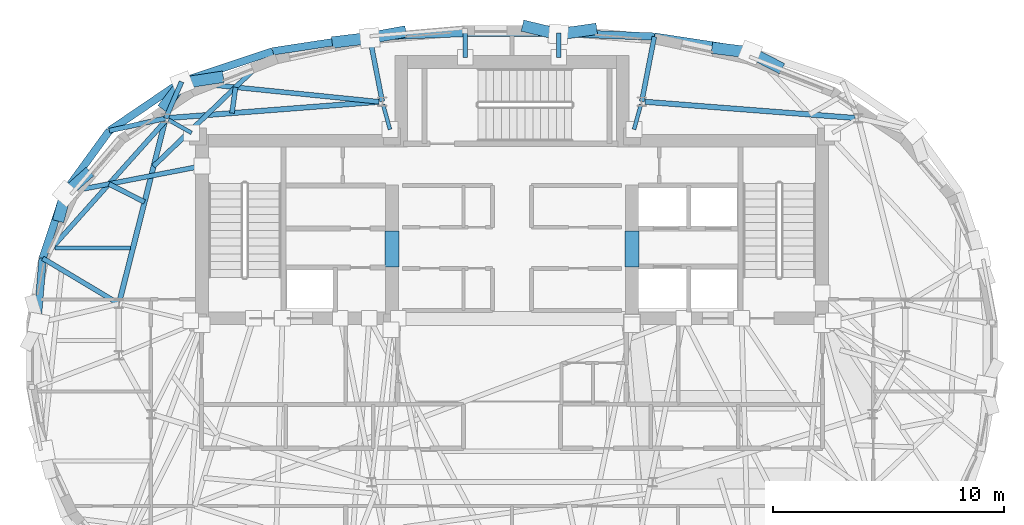
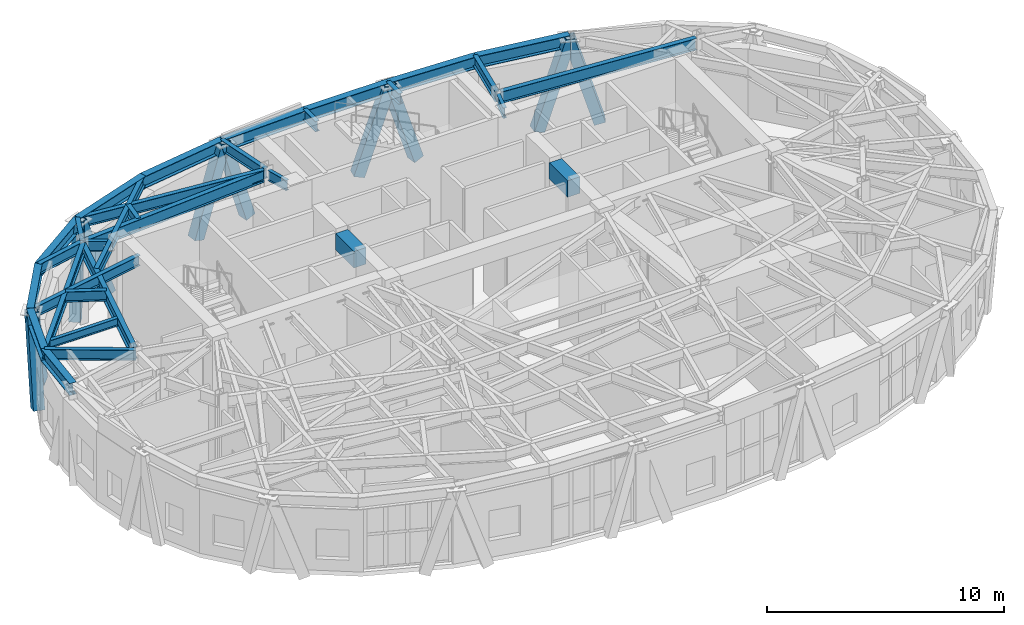
# One storey, part 4 of 15: 32 beams, 10 members.
"""IFC4 building model written with IfcOpenShell, lengths in metres."""

from ifc_helpers import new_model, si_unit, direction, frame, origin, origin_2d, place, context, subcontext, project, spatial, rectangle, hollow_rectangle, i_section, extrude, material, material_profile, profile_set, type_object, element, save


model = new_model("IFC4")

# Units and contexts
model_context = context("Model", 3, precision=1e-05, world=origin(), true_north=direction((0.0, 1.0)))
body_context = subcontext(model_context, "Body", "Model", "MODEL_VIEW")
ifc_project = project(units=[si_unit("LENGTHUNIT", "METRE"), si_unit("AREAUNIT", "SQUARE_METRE"), si_unit("VOLUMEUNIT", "CUBIC_METRE"), si_unit("PLANEANGLEUNIT", "RADIAN"), si_unit("MASSUNIT", "GRAM", prefix="KILO")], contexts=[model_context])

# Site, building, storey
site_placement = place(None, origin())
site = spatial("IfcSite", under=ifc_project, at=site_placement, CompositionType="ELEMENT")
building_placement = place(site_placement, origin())
building = spatial("IfcBuilding", under=site, at=building_placement, Name="Keldmark Tower", CompositionType="ELEMENT")
storey_placement = place(building_placement, frame((0.0, 0.0, 260.39990234375)))
storey = spatial("IfcBuildingStorey", under=building, at=storey_placement, Name="L74", CompositionType="ELEMENT", Elevation=260.39990234375)

# Beams
ifc_material_1 = material(Name="Steel ASTM A992 Grade 50", Category="steel")
ifc_material_profile_1 = material_profile(ifc_material_1, i_section(OverallWidth=0.177978515625, OverallDepth=0.403076171875, WebThickness=0.007568359375, FlangeThickness=0.010986328125, at=origin_2d()), Name="W16X36")
ifc_profile_set_1 = profile_set([ifc_material_profile_1], Name="Steel ASTM A992 Grade 50")
beam_type_1 = type_object("IfcBeamType", Name="Composite Floor Joist W16X36", PredefinedType="JOIST", material=ifc_profile_set_1)
beam_1_placement = place(storey_placement, frame((-19.802001953125, 4.6201171875, 3.978515625), z_axis=(1.0, 0.0, 0.0), x_axis=(0.0, 1.0, 0.0)))
element("IfcBeam", 1, at=beam_1_placement, inside=storey, type_object=beam_type_1, Name="L74 Composite Floor Joist J06", PredefinedType="JOIST", context=body_context, shape_type="SweptSolid", body=[
    extrude(i_section(OverallWidth=0.177978515625, OverallDepth=0.403076171875, WebThickness=0.007568359375, FlangeThickness=0.010986328125, at=origin_2d()), origin(), (0.0, 0.0, 1.0), 3.277099609375),
])
ifc_material_2 = material(Name="Concrete C50/60", Category="concrete")
ifc_material_profile_2 = material_profile(ifc_material_2, rectangle(XDim=0.60009765625, YDim=0.85009765625, at=origin_2d()), Name="RCB600X850")
ifc_profile_set_2 = profile_set([ifc_material_profile_2], Name="Concrete C50/60")
beam_type_2 = type_object("IfcBeamType", Name="Core Coupling Beam RCB600X850", PredefinedType="USERDEFINED", material=ifc_profile_set_2)
for number, where, z_axis, x_axis, name in (
    (2, (-5.199951171875, 3.800048828125, 3.755126953125), (0.0, 1.0, 0.0), (-1.0, 0.0, 0.0), "L74 West Core Coupling Beam"),
    (3, (5.199951171875, 3.800048828125, 3.755126953125), (0.0, 1.0, 0.0), (-1.0, 0.0, 0.0), "L74 East Core Coupling Beam"),
):
    element("IfcBeam", number, at=place(storey_placement, frame(where, z_axis=z_axis, x_axis=x_axis)), inside=storey, type_object=beam_type_2, Name=name, ObjectType="COUPLING BEAM", PredefinedType="USERDEFINED", context=body_context, shape_type="SweptSolid", body=[
        extrude(rectangle(XDim=0.60009765625, YDim=0.85009765625, at=origin_2d()), origin(), (0.0, 0.0, 1.0), 1.550048828125),
    ])

# Members
ifc_material_3 = material(Name="Steel ASTM A572 Grade 50", Category="steel")
ifc_material_profile_3 = material_profile(ifc_material_3, hollow_rectangle(XDim=0.5, YDim=0.5, WallThickness=0.030029296875, at=origin_2d()), Name="BOX500X500X30")
ifc_profile_set_3 = profile_set([ifc_material_profile_3], Name="Steel ASTM A572 Grade 50")
member_type = type_object("IfcMemberType", Name="Diagrid Upper Brace BOX500X500X30", PredefinedType="BRACE", material=ifc_profile_set_3)
member_1_placement = place(storey_placement, frame((11.4814453125, 12.49853515625, -0.2998046875), z_axis=(-0.254581394802, 0.131073202845, 0.958127407455), x_axis=(-0.457750168819, -0.889080864121, 0.0)))
element("IfcMember", 4, at=member_1_placement, inside=storey, type_object=member_type, Name="L74 Perimeter Diagrid Brace 03A", PredefinedType="BRACE", context=body_context, shape_type="SweptSolid", body=[
    extrude(hollow_rectangle(XDim=0.5, YDim=0.5, WallThickness=0.030029296875, at=origin_2d()), origin(), (0.0, 0.0, 1.0), 4.55029296875),
])
member_2_placement = place(storey_placement, frame((8.894287109375, 13.267333984375, -0.2998046875), z_axis=(0.313132954787, -0.038948999806, 0.948910284505), x_axis=(0.12343367056, 0.992352824842, 0.0)))
element("IfcMember", 5, at=member_2_placement, inside=storey, type_object=member_type, Name="L74 Perimeter Diagrid Brace 03B", PredefinedType="BRACE", context=body_context, shape_type="SweptSolid", body=[
    extrude(hollow_rectangle(XDim=0.5, YDim=0.5, WallThickness=0.030029296875, at=origin_2d()), origin(), (0.0, 0.0, 1.0), 4.594482421875),
])
member_3_placement = place(storey_placement, frame((3.436767578125, 14.081787109375, -0.2998046875), z_axis=(-0.311154568704, -0.043592473319, 0.949359010409), x_axis=(0.138744093454, -0.990328267057, 0.0)))
element("IfcMember", 6, at=member_3_placement, inside=storey, type_object=member_type, Name="L74 Perimeter Diagrid Brace 04A", PredefinedType="BRACE", context=body_context, shape_type="SweptSolid", body=[
    extrude(hollow_rectangle(XDim=0.5, YDim=0.5, WallThickness=0.030029296875, at=origin_2d()), origin(), (0.0, 0.0, 1.0), 4.592529296875),
])
member_4_placement = place(storey_placement, frame((0.6845703125, 14.199462890625, -0.2998046875), z_axis=(0.292008696746, -0.070024401213, 0.953848784797), x_axis=(0.2331913082, 0.972430878664, 0.0)))
element("IfcMember", 7, at=member_4_placement, inside=storey, type_object=member_type, Name="L74 Perimeter Diagrid Brace 04B", PredefinedType="BRACE", context=body_context, shape_type="SweptSolid", body=[
    extrude(hollow_rectangle(XDim=0.5, YDim=0.5, WallThickness=0.030029296875, at=origin_2d()), origin(), (0.0, 0.0, 1.0), 4.57080078125),
])
member_5_placement = place(storey_placement, frame((-4.830810546875, 13.95947265625, -0.2998046875), z_axis=(-0.291197288209, -0.052580259792, 0.955216967825), x_axis=(0.177692255929, -0.984086105065, 0.0)))
element("IfcMember", 8, at=member_5_placement, inside=storey, type_object=member_type, Name="L74 Perimeter Diagrid Brace 05A", PredefinedType="BRACE", context=body_context, shape_type="SweptSolid", body=[
    extrude(hollow_rectangle(XDim=0.5, YDim=0.5, WallThickness=0.030029296875, at=origin_2d()), origin(), (0.0, 0.0, 1.0), 4.564208984375),
])
member_6_placement = place(storey_placement, frame((-7.5537109375, 13.55224609375, -0.2998046875), z_axis=(0.306617144005, 0.03696235851, 0.951114983089), x_axis=(-0.11968241892, 0.992812227262, 0.0)))
element("IfcMember", 9, at=member_6_placement, inside=storey, type_object=member_type, Name="L74 Perimeter Diagrid Brace 05B", PredefinedType="BRACE", context=body_context, shape_type="SweptSolid", body=[
    extrude(hollow_rectangle(XDim=0.5, YDim=0.5, WallThickness=0.030029296875, at=origin_2d()), origin(), (0.0, 0.0, 1.0), 4.583984375),
])
member_7_placement = place(storey_placement, frame((-12.73681640625, 12.006103515625, -0.2998046875), z_axis=(-0.333845662082, -0.051125717117, 0.941240264204), x_axis=(0.151376984692, -0.988476104165, 0.0)))
element("IfcMember", 10, at=member_7_placement, inside=storey, type_object=member_type, Name="L74 Perimeter Diagrid Brace 06A", PredefinedType="BRACE", context=body_context, shape_type="SweptSolid", body=[
    extrude(hollow_rectangle(XDim=0.5, YDim=0.5, WallThickness=0.030029296875, at=origin_2d()), origin(), (0.0, 0.0, 1.0), 4.632080078125),
])
member_8_placement = place(storey_placement, frame((-14.99267578125, 10.835205078125, -0.2998046875), z_axis=(0.159202550271, 0.208163008705, 0.965050625508), x_axis=(-0.794322712837, 0.607496031157, 0.0)))
element("IfcMember", 11, at=member_8_placement, inside=storey, type_object=member_type, Name="L74 Perimeter Diagrid Brace 06B", PredefinedType="BRACE", context=body_context, shape_type="SweptSolid", body=[
    extrude(hollow_rectangle(XDim=0.5, YDim=0.5, WallThickness=0.030029296875, at=origin_2d()), origin(), (0.0, 0.0, 1.0), 4.517822265625),
])
member_9_placement = place(storey_placement, frame((-18.45849609375, 7.771240234375, -0.2998046875), z_axis=(-0.194761756322, -0.173842300398, 0.965322077271), x_axis=(0.665904663774, -0.746036848127, 0.0)))
element("IfcMember", 12, at=member_9_placement, inside=storey, type_object=member_type, Name="L74 Perimeter Diagrid Brace 07A", PredefinedType="BRACE", context=body_context, shape_type="SweptSolid", body=[
    extrude(hollow_rectangle(XDim=0.5, YDim=0.5, WallThickness=0.030029296875, at=origin_2d()), origin(), (0.0, 0.0, 1.0), 4.5166015625),
])
member_10_placement = place(storey_placement, frame((-19.595458984375, 6.0205078125, -0.2998046875), z_axis=(0.058970159994, 0.217933199977, 0.974180496919), x_axis=(-0.965286044278, 0.261195047275, 0.0)))
element("IfcMember", 13, at=member_10_placement, inside=storey, type_object=member_type, Name="L74 Perimeter Diagrid Brace 07B", PredefinedType="BRACE", context=body_context, shape_type="SweptSolid", body=[
    extrude(hollow_rectangle(XDim=0.5, YDim=0.5, WallThickness=0.030029296875, at=origin_2d()), origin(), (0.0, 0.0, 1.0), 4.475341796875),
])

# Beams
ifc_material_4 = material(Name="Steel ASTM A992 Grade 50", Category="steel")
ifc_material_profile_4 = material_profile(ifc_material_4, i_section(OverallWidth=0.22802734375, OverallDepth=0.60302734375, WebThickness=0.010498046875, FlangeThickness=0.014892578125, at=origin_2d()), Name="W24X68")
ifc_profile_set_4 = profile_set([ifc_material_profile_4], Name="Steel ASTM A992 Grade 50")
beam_type_3 = type_object("IfcBeamType", Name="Primary Floor Girder W24X68", PredefinedType="BEAM", material=ifc_profile_set_4)
for number, where, z_axis, x_axis, name in (
    (14, (14.856201171875, 10.25439453125, 3.878662109375), (-0.997037147832, 0.076921556421, 0.0), (-0.076921556421, -0.997037147832, 0.0), "L74 Floor Ring Girder FG-R02"),
    (15, (-5.75830078125, 10.956298828125, 3.878662109375), (-0.997037147832, -0.076921556421, 0.0), (0.076921556421, -0.997037147832, 0.0), "L74 Floor Ring Girder FG-R04"),
):
    element("IfcBeam", number, at=place(storey_placement, frame(where, z_axis=z_axis, x_axis=x_axis)), inside=storey, type_object=beam_type_3, Name=name, PredefinedType="BEAM", context=body_context, shape_type="SweptSolid", body=[
        extrude(i_section(OverallWidth=0.22802734375, OverallDepth=0.60302734375, WebThickness=0.010498046875, FlangeThickness=0.014892578125, at=origin_2d()), origin(), (0.0, 0.0, 1.0), 9.125),
    ])
beam_2_placement = place(storey_placement, frame((-15.030029296875, 10.10791015625, 3.878662109375), z_axis=(-0.244902129455, -0.969547805417, 0.0), x_axis=(0.969547805417, -0.244902129455, 0.0)))
element("IfcBeam", 16, at=beam_2_placement, inside=storey, type_object=beam_type_3, Name="L74 Floor Ring Girder FG-R05", PredefinedType="BEAM", context=body_context, shape_type="SweptSolid", body=[
    extrude(i_section(OverallWidth=0.22802734375, OverallDepth=0.60302734375, WebThickness=0.010498046875, FlangeThickness=0.014892578125, at=origin_2d()), origin(), (0.0, 0.0, 1.0), 8.008056640625),
])
ifc_material_5 = material(Name="Steel ASTM A992 Grade 50", Category="steel")
ifc_material_profile_5 = material_profile(ifc_material_5, i_section(OverallWidth=0.166015625, OverallDepth=0.529052734375, WebThickness=0.009765625, FlangeThickness=0.013671875, at=origin_2d()), Name="W21X50")
ifc_profile_set_5 = profile_set([ifc_material_profile_5], Name="Steel ASTM A992 Grade 50")
beam_type_4 = type_object("IfcBeamType", Name="Radial Tie Girder W21X50", PredefinedType="BEAM", material=ifc_profile_set_5)
for number, where, z_axis, x_axis, name in (
    (17, (5.581298828125, 10.83203125, 3.91552734375), (-0.265936023434, -0.963990680163, 0.0), (0.963990680163, -0.265936023434, 0.0), "L74 Floor Radial Girder FG-C03"),
    (18, (-5.581298828125, 10.83203125, 3.91552734375), (0.265936023434, -0.963990680163, 0.0), (0.963990680163, 0.265936023434, 0.0), "L74 Floor Radial Girder FG-C04"),
):
    element("IfcBeam", number, at=place(storey_placement, frame(where, z_axis=z_axis, x_axis=x_axis)), inside=storey, type_object=beam_type_4, Name=name, PredefinedType="BEAM", context=body_context, shape_type="SweptSolid", body=[
        extrude(i_section(OverallWidth=0.166015625, OverallDepth=0.529052734375, WebThickness=0.009765625, FlangeThickness=0.013671875, at=origin_2d()), origin(), (0.0, 0.0, 1.0), 1.113525390625),
    ])
beam_3_placement = place(storey_placement, frame((-14.8740234375, 10.174560546875, 3.91552734375), z_axis=(0.869238046195, -0.494393789451, 0.0), x_axis=(0.494393789451, 0.869238046195, 0.0)))
element("IfcBeam", 19, at=beam_3_placement, inside=storey, type_object=beam_type_4, Name="L74 Floor Radial Girder FG-C05", PredefinedType="BEAM", context=body_context, shape_type="SweptSolid", body=[
    extrude(i_section(OverallWidth=0.166015625, OverallDepth=0.529052734375, WebThickness=0.009765625, FlangeThickness=0.013671875, at=origin_2d()), origin(), (0.0, 0.0, 1.0), 1.145751953125),
])
ifc_material_6 = material(Name="Steel ASTM A992 Grade 50", Category="steel")
ifc_material_profile_6 = material_profile(ifc_material_6, i_section(OverallWidth=0.2099609375, OverallDepth=0.537109375, WebThickness=0.010986328125, FlangeThickness=0.017333984375, at=origin_2d()), Name="W21X68")
ifc_profile_set_6 = profile_set([ifc_material_profile_6], Name="Steel ASTM A992 Grade 50")
beam_type_5 = type_object("IfcBeamType", Name="Radial Tie Girder W21X68", PredefinedType="BEAM", material=ifc_profile_set_6)
for number, where, z_axis, x_axis, name in (
    (20, (2.025146484375, 12.8798828125, 3.91162109375), (0.0, 1.0, 0.0), (-1.0, 0.0, 0.0), "L74 North Core Wall Bracket RT-08N"),
    (21, (-2.025146484375, 12.8798828125, 3.91162109375), (0.0, 1.0, 0.0), (-1.0, 0.0, 0.0), "L74 North Core Wall Bracket RT-09N"),
):
    element("IfcBeam", number, at=place(storey_placement, frame(where, z_axis=z_axis, x_axis=x_axis)), inside=storey, type_object=beam_type_5, Name=name, PredefinedType="BEAM", context=body_context, shape_type="SweptSolid", body=[
        extrude(i_section(OverallWidth=0.2099609375, OverallDepth=0.537109375, WebThickness=0.010986328125, FlangeThickness=0.017333984375, at=origin_2d()), origin(), (0.0, 0.0, 1.0), 1.05908203125),
    ])
for number, where, z_axis, x_axis, name in (
    (22, (5.61865234375, 10.967041015625, 3.91162109375), (0.190967735068, 0.981596314257, 0.0), (-0.981596314257, 0.190967735068, 0.0), "L74 Perimeter Column Bracket RT-07"),
    (23, (-5.61865234375, 10.967041015625, 3.91162109375), (-0.190967735068, 0.981596314257, 0.0), (-0.981596314257, -0.190967735068, 0.0), "L74 Perimeter Column Bracket RT-10"),
):
    element("IfcBeam", number, at=place(storey_placement, frame(where, z_axis=z_axis, x_axis=x_axis)), inside=storey, type_object=beam_type_5, Name=name, PredefinedType="BEAM", context=body_context, shape_type="SweptSolid", body=[
        extrude(i_section(OverallWidth=0.2099609375, OverallDepth=0.537109375, WebThickness=0.010986328125, FlangeThickness=0.017333984375, at=origin_2d()), origin(), (0.0, 0.0, 1.0), 2.864990234375),
    ])
beam_4_placement = place(storey_placement, frame((-14.995849609375, 10.24365234375, 3.91162109375), z_axis=(0.397786648686, 0.917477946398, 0.0), x_axis=(-0.917477946398, 0.397786648686, 0.0)))
element("IfcBeam", 24, at=beam_4_placement, inside=storey, type_object=beam_type_5, Name="L74 Perimeter Column Bracket RT-12", PredefinedType="BEAM", context=body_context, shape_type="SweptSolid", body=[
    extrude(i_section(OverallWidth=0.2099609375, OverallDepth=0.537109375, WebThickness=0.010986328125, FlangeThickness=0.017333984375, at=origin_2d()), origin(), (0.0, 0.0, 1.0), 1.72021484375),
])
beam_5_placement = place(storey_placement, frame((-14.995849609375, 10.24365234375, 3.91162109375), z_axis=(-0.976301713666, -0.216413871768, 0.0), x_axis=(0.216413871768, -0.976301713666, 0.0)))
element("IfcBeam", 25, at=beam_5_placement, inside=storey, type_object=beam_type_5, Name="L74 Perimeter Column Bracket RT-13", PredefinedType="BEAM", context=body_context, shape_type="SweptSolid", body=[
    extrude(i_section(OverallWidth=0.2099609375, OverallDepth=0.537109375, WebThickness=0.010986328125, FlangeThickness=0.017333984375, at=origin_2d()), origin(), (0.0, 0.0, 1.0), 2.502197265625),
])
beam_6_placement = place(storey_placement, frame((-17.025634765625, 2.2080078125, 3.91162109375), z_axis=(-0.858405001631, 0.512972565713, 0.0), x_axis=(-0.512972565713, -0.858405001631, 0.0)))
element("IfcBeam", 26, at=beam_6_placement, inside=storey, type_object=beam_type_5, Name="L74 Perimeter Column Bracket RT-15", PredefinedType="BEAM", context=body_context, shape_type="SweptSolid", body=[
    extrude(i_section(OverallWidth=0.2099609375, OverallDepth=0.537109375, WebThickness=0.010986328125, FlangeThickness=0.017333984375, at=origin_2d()), origin(), (0.0, 0.0, 1.0), 3.843994140625),
])
beam_7_placement = place(storey_placement, frame((-5.75830078125, 10.956298828125, 3.91162109375), z_axis=(-0.994916689016, 0.100701449428, 0.0), x_axis=(-0.100701449428, -0.994916689016, 0.0)))
element("IfcBeam", 27, at=beam_7_placement, inside=storey, type_object=beam_type_5, Name="L74 Straddling Support Chord RT-11RB", PredefinedType="BEAM", context=body_context, shape_type="SweptSolid", body=[
    extrude(i_section(OverallWidth=0.2099609375, OverallDepth=0.537109375, WebThickness=0.010986328125, FlangeThickness=0.017333984375, at=origin_2d()), origin(), (0.0, 0.0, 1.0), 8.596923828125),
])
beam_8_placement = place(storey_placement, frame((-12.126708984375, 10.465087890625, 3.91162109375), z_axis=(0.134496613333, 0.990914053287, 0.0), x_axis=(-0.990914053287, 0.134496613333, 0.0)))
element("IfcBeam", 28, at=beam_8_placement, inside=storey, type_object=beam_type_5, Name="L74 Framing Pin Header PH-022", PredefinedType="BEAM", context=body_context, shape_type="SweptSolid", body=[
    extrude(i_section(OverallWidth=0.2099609375, OverallDepth=0.537109375, WebThickness=0.010986328125, FlangeThickness=0.017333984375, at=origin_2d()), origin(), (0.0, 0.0, 1.0), 1.130859375),
])
beam_9_placement = place(storey_placement, frame((-15.5205078125, 8.1669921875, 3.91162109375), z_axis=(0.719899612478, 0.694078200172, 0.0), x_axis=(-0.694078200172, 0.719899612478, 0.0)))
element("IfcBeam", 29, at=beam_9_placement, inside=storey, type_object=beam_type_5, Name="L74 Perimeter Radial Tie Girder RT-11R", PredefinedType="BEAM", context=body_context, shape_type="SweptSolid", body=[
    extrude(i_section(OverallWidth=0.2099609375, OverallDepth=0.537109375, WebThickness=0.010986328125, FlangeThickness=0.017333984375, at=origin_2d()), origin(), (0.0, 0.0, 1.0), 7.166748046875),
])
beam_10_placement = place(storey_placement, frame((-15.030029296875, 10.10791015625, 3.91162109375), z_axis=(-0.666195807481, -0.745776874202, 0.0), x_axis=(0.745776874202, -0.666195807481, 0.0)))
element("IfcBeam", 30, at=beam_10_placement, inside=storey, type_object=beam_type_5, Name="L74 Straddling Support Chord RT-14RB", PredefinedType="BEAM", context=body_context, shape_type="SweptSolid", body=[
    extrude(i_section(OverallWidth=0.2099609375, OverallDepth=0.537109375, WebThickness=0.010986328125, FlangeThickness=0.017333984375, at=origin_2d()), origin(), (0.0, 0.0, 1.0), 7.94873046875),
])
beam_11_placement = place(storey_placement, frame((-15.91259765625, 6.614013671875, 3.91162109375), z_axis=(-0.891151682743, 0.45370549737, 0.0), x_axis=(-0.45370549737, -0.891151682743, 0.0)))
element("IfcBeam", 31, at=beam_11_placement, inside=storey, type_object=beam_type_5, Name="L74 Framing Pin Header PH-023", PredefinedType="BEAM", context=body_context, shape_type="SweptSolid", body=[
    extrude(i_section(OverallWidth=0.2099609375, OverallDepth=0.537109375, WebThickness=0.010986328125, FlangeThickness=0.017333984375, at=origin_2d()), origin(), (0.0, 0.0, 1.0), 1.726806640625),
])
beam_12_placement = place(storey_placement, frame((-13.425048828125, 8.175048828125, 3.91162109375), z_axis=(-0.981858680081, -0.189614167059, 0.0), x_axis=(0.189614167059, -0.981858680081, 0.0)))
element("IfcBeam", 32, at=beam_12_placement, inside=storey, type_object=beam_type_5, Name="L74 Perimeter Radial Tie Girder RT-14R", PredefinedType="BEAM", context=body_context, shape_type="SweptSolid", body=[
    extrude(i_section(OverallWidth=0.2099609375, OverallDepth=0.537109375, WebThickness=0.010986328125, FlangeThickness=0.017333984375, at=origin_2d()), origin(), (0.0, 0.0, 1.0), 6.069580078125),
])
ifc_material_7 = material(Name="Steel ASTM A992 Grade 50", Category="steel")
ifc_material_profile_7 = material_profile(ifc_material_7, i_section(OverallWidth=0.326904296875, OverallDepth=0.6220703125, WebThickness=0.015380859375, FlangeThickness=0.0244140625, at=origin_2d()), Name="W24X131")
ifc_profile_set_7 = profile_set([ifc_material_profile_7], Name="Steel ASTM A992 Grade 50")
beam_type_6 = type_object("IfcBeamType", Name="Spandrel Ring Beam W24X131", PredefinedType="SPANDREL", material=ifc_profile_set_7)
beam_13_placement = place(storey_placement, frame((10.361083984375, 13.141357421875, 3.869140625), z_axis=(-0.988635572728, 0.15033198042, 0.0), x_axis=(-0.15033198042, -0.988635572728, 0.0)))
element("IfcBeam", 33, at=beam_13_placement, inside=storey, type_object=beam_type_6, Name="L74 Perimeter Spandrel Ring Beam SRB-06", PredefinedType="SPANDREL", context=body_context, shape_type="SweptSolid", body=[
    extrude(i_section(OverallWidth=0.326904296875, OverallDepth=0.6220703125, WebThickness=0.015380859375, FlangeThickness=0.0244140625, at=origin_2d()), origin(), (0.0, 0.0, 1.0), 4.24365234375),
])
beam_14_placement = place(storey_placement, frame((6.165771484375, 13.779296875, 3.869140625), z_axis=(-0.999257340406, 0.03853268282, 0.0), x_axis=(-0.03853268282, -0.999257340406, 0.0)))
element("IfcBeam", 34, at=beam_14_placement, inside=storey, type_object=beam_type_6, Name="L74 Perimeter Spandrel Ring Beam SRB-07", PredefinedType="SPANDREL", context=body_context, shape_type="SweptSolid", body=[
    extrude(i_section(OverallWidth=0.326904296875, OverallDepth=0.6220703125, WebThickness=0.015380859375, FlangeThickness=0.0244140625, at=origin_2d()), origin(), (0.0, 0.0, 1.0), 4.143798828125),
])
beam_15_placement = place(storey_placement, frame((2.025146484375, 13.93896484375, 3.869140625), z_axis=(-1.0, 0.0, 0.0), x_axis=(0.0, -1.0, 0.0)))
element("IfcBeam", 35, at=beam_15_placement, inside=storey, type_object=beam_type_6, Name="L74 Perimeter Spandrel Ring Beam SRB-08", PredefinedType="SPANDREL", context=body_context, shape_type="SweptSolid", body=[
    extrude(i_section(OverallWidth=0.326904296875, OverallDepth=0.6220703125, WebThickness=0.015380859375, FlangeThickness=0.0244140625, at=origin_2d()), origin(), (0.0, 0.0, 1.0), 4.05029296875),
])
beam_16_placement = place(storey_placement, frame((-2.025146484375, 13.93896484375, 3.869140625), z_axis=(-0.999257340406, -0.03853268282, 0.0), x_axis=(0.03853268282, -0.999257340406, 0.0)))
element("IfcBeam", 36, at=beam_16_placement, inside=storey, type_object=beam_type_6, Name="L74 Perimeter Spandrel Ring Beam SRB-09", PredefinedType="SPANDREL", context=body_context, shape_type="SweptSolid", body=[
    extrude(i_section(OverallWidth=0.326904296875, OverallDepth=0.6220703125, WebThickness=0.015380859375, FlangeThickness=0.0244140625, at=origin_2d()), origin(), (0.0, 0.0, 1.0), 4.143798828125),
])
beam_17_placement = place(storey_placement, frame((-6.165771484375, 13.779296875, 3.869140625), z_axis=(-0.988635572728, -0.15033198042, 0.0), x_axis=(0.15033198042, -0.988635572728, 0.0)))
element("IfcBeam", 37, at=beam_17_placement, inside=storey, type_object=beam_type_6, Name="L74 Perimeter Spandrel Ring Beam SRB-10", PredefinedType="SPANDREL", context=body_context, shape_type="SweptSolid", body=[
    extrude(i_section(OverallWidth=0.326904296875, OverallDepth=0.6220703125, WebThickness=0.015380859375, FlangeThickness=0.0244140625, at=origin_2d()), origin(), (0.0, 0.0, 1.0), 4.24365234375),
])
beam_18_placement = place(storey_placement, frame((-10.361083984375, 13.141357421875, 3.869140625), z_axis=(-0.948501424935, -0.316772863256, 0.0), x_axis=(0.316772863256, -0.948501424935, 0.0)))
element("IfcBeam", 38, at=beam_18_placement, inside=storey, type_object=beam_type_6, Name="L74 Perimeter Spandrel Ring Beam SRB-11", PredefinedType="SPANDREL", context=body_context, shape_type="SweptSolid", body=[
    extrude(i_section(OverallWidth=0.326904296875, OverallDepth=0.6220703125, WebThickness=0.015380859375, FlangeThickness=0.0244140625, at=origin_2d()), origin(), (0.0, 0.0, 1.0), 4.1650390625),
])
beam_19_placement = place(storey_placement, frame((-14.3115234375, 11.822021484375, 3.869140625), z_axis=(-0.827740547026, -0.56111102895, 0.0), x_axis=(0.56111102895, -0.827740547026, 0.0)))
element("IfcBeam", 39, at=beam_19_placement, inside=storey, type_object=beam_type_6, Name="L74 Perimeter Spandrel Ring Beam SRB-12", PredefinedType="SPANDREL", context=body_context, shape_type="SweptSolid", body=[
    extrude(i_section(OverallWidth=0.326904296875, OverallDepth=0.6220703125, WebThickness=0.015380859375, FlangeThickness=0.0244140625, at=origin_2d()), origin(), (0.0, 0.0, 1.0), 3.778076171875),
])
beam_20_placement = place(storey_placement, frame((-17.438720703125, 9.7021484375, 3.869140625), z_axis=(-0.587812043437, -0.808997528791, 0.0), x_axis=(0.808997528791, -0.587812043437, 0.0)))
element("IfcBeam", 40, at=beam_20_placement, inside=storey, type_object=beam_type_6, Name="L74 Perimeter Spandrel Ring Beam SRB-13", PredefinedType="SPANDREL", context=body_context, shape_type="SweptSolid", body=[
    extrude(i_section(OverallWidth=0.326904296875, OverallDepth=0.6220703125, WebThickness=0.015380859375, FlangeThickness=0.0244140625, at=origin_2d()), origin(), (0.0, 0.0, 1.0), 3.310302734375),
])
beam_21_placement = place(storey_placement, frame((-19.384521484375, 7.024169921875, 3.869140625), z_axis=(-0.314075527336, -0.949398000381, 0.0), x_axis=(0.949398000381, -0.314075527336, 0.0)))
element("IfcBeam", 41, at=beam_21_placement, inside=storey, type_object=beam_type_6, Name="L74 Perimeter Spandrel Ring Beam SRB-14", PredefinedType="SPANDREL", context=body_context, shape_type="SweptSolid", body=[
    extrude(i_section(OverallWidth=0.326904296875, OverallDepth=0.6220703125, WebThickness=0.015380859375, FlangeThickness=0.0244140625, at=origin_2d()), origin(), (0.0, 0.0, 1.0), 2.995849609375),
])
beam_22_placement = place(storey_placement, frame((-20.325439453125, 4.179931640625, 3.869140625), z_axis=(-0.083719665048, -0.996489346498, 0.0), x_axis=(0.996489346498, -0.083719665048, 0.0)))
element("IfcBeam", 42, at=beam_22_placement, inside=storey, type_object=beam_type_6, Name="L74 Perimeter Spandrel Ring Beam SRB-15", PredefinedType="SPANDREL", context=body_context, shape_type="SweptSolid", body=[
    extrude(i_section(OverallWidth=0.326904296875, OverallDepth=0.6220703125, WebThickness=0.015380859375, FlangeThickness=0.0244140625, at=origin_2d()), origin(), (0.0, 0.0, 1.0), 2.817138671875),
])

save(model, "model.ifc")
